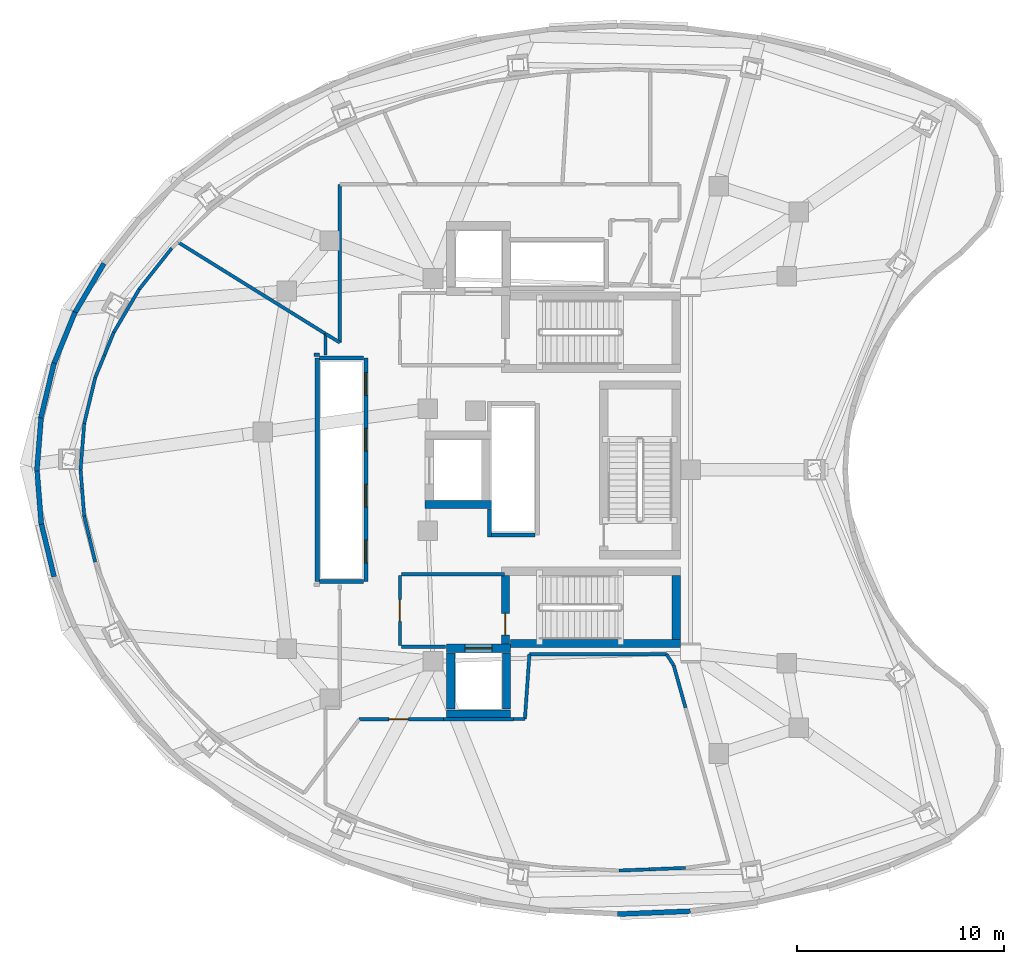
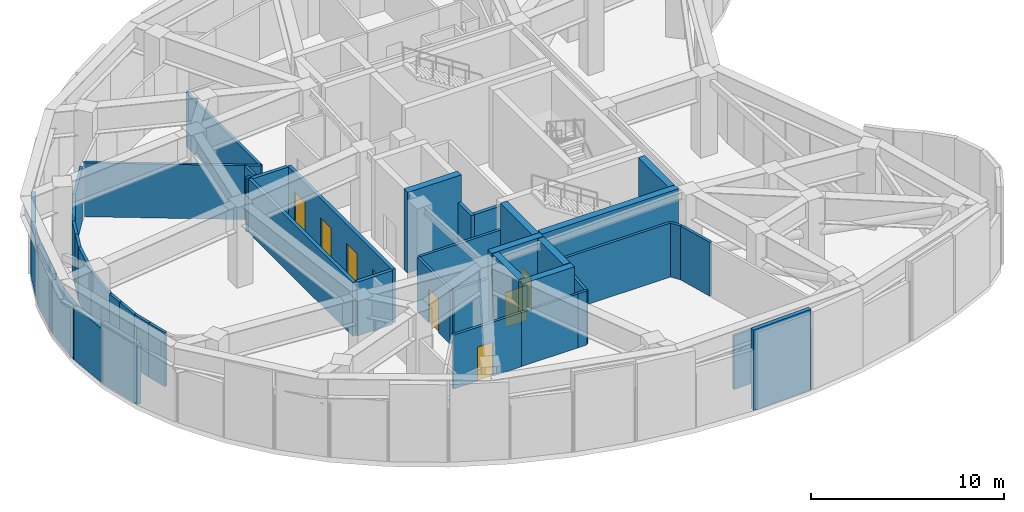
# One storey, part 4 of 10: 48 walls, 8 doors, 8 openings.
"""IFC4 building model written with IfcOpenShell, lengths in metres."""

from ifc_helpers import new_model, si_unit, direction, frame, frame_2d, origin, place, context, subcontext, project, spatial, rectangle, extrude, material, layer, layer_set, type_object, element, fill, save


model = new_model("IFC4")

# Units and contexts
model_context = context("Model", 3, precision=1e-05, world=origin(), true_north=direction((0.0, 1.0)))
body_context = subcontext(model_context, "Body", "Model", "MODEL_VIEW")
ifc_project = project(units=[si_unit("LENGTHUNIT", "METRE"), si_unit("AREAUNIT", "SQUARE_METRE"), si_unit("VOLUMEUNIT", "CUBIC_METRE"), si_unit("PLANEANGLEUNIT", "RADIAN"), si_unit("MASSUNIT", "GRAM", prefix="KILO")], contexts=[model_context])

# Site, building, storey
site_placement = place(None, origin())
site = spatial("IfcSite", under=ifc_project, at=site_placement, CompositionType="ELEMENT")
building_placement = place(site_placement, origin())
building = spatial("IfcBuilding", under=site, at=building_placement, Name="Korentha Bioscience Tower", CompositionType="ELEMENT")
storey_placement = place(building_placement, frame((0.0, 0.0, 213.0)))
storey = spatial("IfcBuildingStorey", under=building, at=storey_placement, Name="L49", CompositionType="ELEMENT", Elevation=213.0)

# Wall, opening, door
ifc_material_1 = material(Name="Gypsum-Clad Steel Stud", Category="steel")
ifc_layer_1 = layer(ifc_material_1, 0.159912109375, Name="Gypsum-Clad Steel Stud")
ifc_layer_set_1 = layer_set([ifc_layer_1], Name="Gypsum-Clad Steel Stud (IW-C160)")
wall_type_1 = type_object("IfcWallType", Name="Fire-Rated Corridor Partition Wall 160", PredefinedType="PARTITIONING", material=ifc_layer_set_1)
wall_1_placement = place(storey_placement, frame((23.5, 18.5, 0.0), z_axis=(0.0, 0.0, 1.0), x_axis=(0.0, 1.0, 0.0)))
wall_1 = element("IfcWall", 1, at=wall_1_placement, inside=storey, type_object=wall_type_1, Name="L49 FFLS-CW Rated Enclosure Wall", PredefinedType="PARTITIONING", context=body_context, shape_type="SweptSolid", body=[
    extrude(rectangle(XDim=3.39990234375, YDim=0.159912109375, at=frame_2d((1.699951171875, 0.0))), origin(), (0.0, 0.0, 1.0), 3.409912109375),
])
opening_1_placement = place(wall_1_placement, frame((1.175048828125, 0.0, 0.0)))
opening_1 = element("IfcOpeningElement", 2, at=opening_1_placement, cuts=wall_1, Name="Opening FD-90R", PredefinedType="OPENING", context=body_context, shape_type="SweptSolid", body=[
    extrude(rectangle(XDim=1.050048828125, YDim=2.14990234375, at=frame_2d((0.52490234375, 1.074951171875))), frame((0.0, 0.0947265625, 0.0), z_axis=(0.0, -1.0, 0.0), x_axis=(1.0, 0.0, 0.0)), (0.0, 0.0, 1.0), 0.189697265625),
])
ifc_material_2 = material(Name="Powder-Coated Fire-Rated Steel", Category="steel")
door_type_1 = type_object("IfcDoorType", Name="Stairwell Fire Exit Door 1050x2150 Right", OperationType="SINGLE_SWING_RIGHT", PredefinedType="DOOR", material=ifc_material_2)
door_1_placement = place(opening_1_placement, origin())
door_1 = element("IfcDoor", 3, at=door_1_placement, inside=storey, type_object=door_type_1, Name="L49 South Firefighting Lobby Door", OperationType="SINGLE_SWING_RIGHT", OverallHeight=2.14990234375, OverallWidth=1.050048828125, PredefinedType="DOOR", context=body_context, shape_type="SweptSolid", body=[
    extrude(rectangle(XDim=1.050048828125, YDim=2.14990234375, at=frame_2d((0.52490234375, 1.074951171875))), frame((0.0, 0.02490234375, 0.0), z_axis=(0.0, -1.0, 0.0), x_axis=(1.0, 0.0, 0.0)), (0.0, 0.0, 1.0), 0.050048828125),
])
fill(opening_1, door_1)

# Walls
wall_2_placement = place(storey_placement, frame((23.580078125, 21.949951171875, 0.0), z_axis=(0.0, 0.0, 1.0), x_axis=(1.0, 0.0, 0.0)))
element("IfcWall", 4, at=wall_2_placement, inside=storey, type_object=wall_type_1, Name="L49 Firefighting Lobby Return Wall FFLS-N", PredefinedType="PARTITIONING", context=body_context, shape_type="SweptSolid", body=[
    extrude(rectangle(XDim=4.969970703125, YDim=0.159912109375, at=frame_2d((2.48486328125, 0.0))), origin(), (0.0, 0.0, 1.0), 3.409912109375),
])
wall_3_placement = place(storey_placement, frame((23.580078125, 18.449951171875, 0.0), z_axis=(0.0, 0.0, 1.0), x_axis=(1.0, 0.0, 0.0)))
element("IfcWall", 5, at=wall_3_placement, inside=storey, type_object=wall_type_1, Name="L49 Firefighting Lobby Return Wall FFLS-S", PredefinedType="PARTITIONING", context=body_context, shape_type="SweptSolid", body=[
    extrude(rectangle(XDim=2.119873046875, YDim=0.159912109375, at=frame_2d((1.06005859375, 0.0))), origin(), (0.0, 0.0, 1.0), 3.409912109375),
])

# Wall, opening, door
wall_4_placement = place(storey_placement, frame((21.5283203125, 14.93994140625, 0.0), z_axis=(0.0, 0.0, 1.0), x_axis=(1.0, 0.0, 0.0)))
wall_4 = element("IfcWall", 6, at=wall_4_placement, inside=storey, type_object=wall_type_1, Name="L49 Chilled-Water Plate Heat-Exchanger Plant 02 Entrance Wall", PredefinedType="PARTITIONING", context=body_context, shape_type="SweptSolid", body=[
    extrude(rectangle(XDim=4.07177734375, YDim=0.159912109375, at=frame_2d((2.035888671875, 0.0))), origin(), (0.0, 0.0, 1.0), 3.409912109375),
])
opening_2_placement = place(wall_4_placement, frame((1.43017578125, 0.0, 0.0)))
opening_2 = element("IfcOpeningElement", 7, at=opening_2_placement, cuts=wall_4, Name="Opening FD-120D", PredefinedType="OPENING", context=body_context, shape_type="SweptSolid", body=[
    extrude(rectangle(XDim=0.949951171875, YDim=2.14990234375, at=frame_2d((0.47509765625, 1.074951171875))), frame((0.0, 0.0947265625, 0.0), z_axis=(0.0, -1.0, 0.0), x_axis=(1.0, 0.0, 0.0)), (0.0, 0.0, 1.0), 0.189697265625),
])
ifc_material_3 = material(Name="Heavy-Duty Insulated Steel", Category="steel")
door_type_2 = type_object("IfcDoorType", Name="Plant & Riser Fire Door 950x2150 Left", OperationType="SINGLE_SWING_LEFT", PredefinedType="DOOR", material=ifc_material_3)
door_2_placement = place(opening_2_placement, origin())
door_2 = element("IfcDoor", 8, at=door_2_placement, inside=storey, type_object=door_type_2, Name="L49 Chilled-Water Plate Heat-Exchanger Plant 02 Door", OperationType="SINGLE_SWING_LEFT", OverallHeight=2.14990234375, OverallWidth=0.949951171875, PredefinedType="DOOR", context=body_context, shape_type="SweptSolid", body=[
    extrude(rectangle(XDim=0.949951171875, YDim=2.14990234375, at=frame_2d((0.47509765625, 1.074951171875))), frame((0.0, 0.02490234375, 0.0), z_axis=(0.0, -1.0, 0.0), x_axis=(1.0, 0.0, 0.0)), (0.0, 0.0, 1.0), 0.050048828125),
])
fill(opening_2, door_2)

# Walls
wall_5_placement = place(storey_placement, frame((8.131103515625, 26.102294921875, 0.0), z_axis=(0.0, 0.0, 1.0), x_axis=(-0.078915252061, 0.99688132844, 0.0)))
element("IfcWall", 9, at=wall_5_placement, inside=storey, type_object=wall_type_1, Name="L49 Interior Partition 007", PredefinedType="PARTITIONING", context=body_context, shape_type="SweptSolid", body=[
    extrude(rectangle(XDim=0.900390625, YDim=0.159912109375, at=frame_2d((0.4501953125, 0.0))), origin(), (0.0, 0.0, 1.0), 3.409912109375),
])
wall_6_placement = place(storey_placement, frame((8.06005859375, 27.000244140625, 0.0), z_axis=(0.0, 0.0, 1.0), x_axis=(0.079080318655, 0.996868247664, 0.0)))
element("IfcWall", 10, at=wall_6_placement, inside=storey, type_object=wall_type_1, Name="L49 Interior Partition 008", PredefinedType="PARTITIONING", context=body_context, shape_type="SweptSolid", body=[
    extrude(rectangle(XDim=2.24755859375, YDim=0.159912109375, at=frame_2d((1.123779296875, 0.0))), origin(), (0.0, 0.0, 1.0), 3.409912109375),
])
wall_7_placement = place(storey_placement, frame((8.23779296875, 29.240966796875, 0.0), z_axis=(0.0, 0.0, 1.0), x_axis=(0.233688599082, 0.972311492609, 0.0)))
element("IfcWall", 11, at=wall_7_placement, inside=storey, type_object=wall_type_1, Name="L49 Interior Partition 009", PredefinedType="PARTITIONING", context=body_context, shape_type="SweptSolid", body=[
    extrude(rectangle(XDim=2.28173828125, YDim=0.159912109375, at=frame_2d((1.140869140625, 0.0))), origin(), (0.0, 0.0, 1.0), 3.409912109375),
])
wall_8_placement = place(storey_placement, frame((8.77099609375, 31.459716796875, 0.0), z_axis=(0.0, 0.0, 1.0), x_axis=(0.37822035048, 0.925715596975, 0.0)))
element("IfcWall", 12, at=wall_8_placement, inside=storey, type_object=wall_type_1, Name="L49 Interior Partition 010", PredefinedType="PARTITIONING", context=body_context, shape_type="SweptSolid", body=[
    extrude(rectangle(XDim=1.175537109375, YDim=0.159912109375, at=frame_2d((0.587890625, 0.0))), origin(), (0.0, 0.0, 1.0), 3.409912109375),
])
wall_9_placement = place(storey_placement, frame((9.21728515625, 32.55224609375, 0.0), z_axis=(0.0, 0.0, 1.0), x_axis=(0.378200873388, 0.925723554507, 0.0)))
element("IfcWall", 13, at=wall_9_placement, inside=storey, type_object=wall_type_1, Name="L49 Interior Partition 011", PredefinedType="PARTITIONING", context=body_context, shape_type="SweptSolid", body=[
    extrude(rectangle(XDim=1.16650390625, YDim=0.159912109375, at=frame_2d((0.583251953125, 0.0))), origin(), (0.0, 0.0, 1.0), 3.409912109375),
])
wall_10_placement = place(storey_placement, frame((9.65869140625, 33.632568359375, 0.0), z_axis=(0.0, 0.0, 1.0), x_axis=(0.508084174512, 0.861307419921, 0.0)))
element("IfcWall", 14, at=wall_10_placement, inside=storey, type_object=wall_type_1, Name="L49 Interior Partition 012", PredefinedType="PARTITIONING", context=body_context, shape_type="SweptSolid", body=[
    extrude(rectangle(XDim=2.435791015625, YDim=0.159912109375, at=frame_2d((1.2177734375, 0.0))), origin(), (0.0, 0.0, 1.0), 3.409912109375),
])
wall_11_placement = place(storey_placement, frame((10.896484375, 35.730712890625, 0.0), z_axis=(0.0, 0.0, 1.0), x_axis=(0.620845620269, 0.783932851584, 0.0)))
element("IfcWall", 15, at=wall_11_placement, inside=storey, type_object=wall_type_1, Name="L49 Interior Partition 013", PredefinedType="PARTITIONING", context=body_context, shape_type="SweptSolid", body=[
    extrude(rectangle(XDim=2.5419921875, YDim=0.159912109375, at=frame_2d((1.27099609375, 0.0))), origin(), (0.0, 0.0, 1.0), 3.409912109375),
])
wall_12_placement = place(storey_placement, frame((12.765380859375, 38.0068359375, 0.0), z_axis=(0.0, 0.0, 1.0), x_axis=(0.849598824843, -0.527429461469, 0.0)))
element("IfcWall", 16, at=wall_12_placement, inside=storey, type_object=wall_type_1, Name="L49 Interior Partition 015", PredefinedType="PARTITIONING", context=body_context, shape_type="SweptSolid", body=[
    extrude(rectangle(XDim=8.39501953125, YDim=0.159912109375, at=frame_2d((4.197509765625, 0.0))), origin(), (0.0, 0.0, 1.0), 3.409912109375),
])
wall_13_placement = place(storey_placement, frame((19.89794921875, 33.578857421875, 0.0), z_axis=(0.0, 0.0, 1.0), x_axis=(0.0, -1.0, 0.0)))
element("IfcWall", 17, at=wall_13_placement, inside=storey, type_object=wall_type_1, Name="L49 Interior Partition 016", PredefinedType="PARTITIONING", context=body_context, shape_type="SweptSolid", body=[
    extrude(rectangle(XDim=1.018798828125, YDim=0.159912109375, at=frame_2d((0.50927734375, 0.0))), origin(), (0.0, 0.0, 1.0), 3.409912109375),
])
wall_14_placement = place(storey_placement, frame((19.6201171875, 32.56005859375, 0.0), z_axis=(0.0, 0.0, 1.0), x_axis=(-1.0, 0.0, 0.0)))
element("IfcWall", 18, at=wall_14_placement, inside=storey, type_object=wall_type_1, Name="L49 Interior Partition 017", PredefinedType="PARTITIONING", context=body_context, shape_type="SweptSolid", body=[
    extrude(rectangle(XDim=0.27001953125, YDim=0.159912109375, at=frame_2d((0.135009765625, 0.0))), origin(), (0.0, 0.0, 1.0), 3.409912109375),
])
wall_15_placement = place(storey_placement, frame((8.77099609375, 22.540283203125, 0.0), z_axis=(0.0, 0.0, 1.0), x_axis=(-0.233646247819, 0.972321670477, 0.0)))
element("IfcWall", 19, at=wall_15_placement, inside=storey, type_object=wall_type_1, Name="L49 Interior Partition 030", PredefinedType="PARTITIONING", context=body_context, shape_type="SweptSolid", body=[
    extrude(rectangle(XDim=1.21630859375, YDim=0.159912109375, at=frame_2d((0.608154296875, 0.0))), origin(), (0.0, 0.0, 1.0), 3.409912109375),
])
wall_16_placement = place(storey_placement, frame((8.485595703125, 23.727294921875, 0.0), z_axis=(0.0, 0.0, 1.0), x_axis=(-0.23353829149, 0.97234760575, 0.0)))
element("IfcWall", 20, at=wall_16_placement, inside=storey, type_object=wall_type_1, Name="L49 Interior Partition 031", PredefinedType="PARTITIONING", context=body_context, shape_type="SweptSolid", body=[
    extrude(rectangle(XDim=1.06103515625, YDim=0.159912109375, at=frame_2d((0.530517578125, 0.0))), origin(), (0.0, 0.0, 1.0), 3.409912109375),
])
wall_17_placement = place(storey_placement, frame((8.23779296875, 24.75927734375, 0.0), z_axis=(0.0, 0.0, 1.0), x_axis=(-0.079087622774, 0.996867668211, 0.0)))
element("IfcWall", 21, at=wall_17_placement, inside=storey, type_object=wall_type_1, Name="L49 Interior Partition 032", PredefinedType="PARTITIONING", context=body_context, shape_type="SweptSolid", body=[
    extrude(rectangle(XDim=1.3427734375, YDim=0.159912109375, at=frame_2d((0.67138671875, 0.0))), origin(), (0.0, 0.0, 1.0), 3.409912109375),
])
wall_18_placement = place(storey_placement, frame((25.610107421875, 14.949951171875, 0.0), z_axis=(0.0, 0.0, 1.0), x_axis=(1.0, 0.0, 0.0)))
element("IfcWall", 22, at=wall_18_placement, inside=storey, type_object=wall_type_1, Name="L49 Interior Partition 033", PredefinedType="PARTITIONING", context=body_context, shape_type="SweptSolid", body=[
    extrude(rectangle(XDim=3.385986328125, YDim=0.159912109375, at=frame_2d((1.69287109375, 0.0))), origin(), (0.0, 0.0, 1.0), 3.409912109375),
])
wall_19_placement = place(storey_placement, frame((29.0, 14.9541015625, 0.0), z_axis=(0.0, 0.0, 1.0), x_axis=(1.0, 0.0, 0.0)))
element("IfcWall", 23, at=wall_19_placement, inside=storey, type_object=wall_type_1, Name="L49 Interior Partition 035", PredefinedType="PARTITIONING", context=body_context, shape_type="SweptSolid", body=[
    extrude(rectangle(XDim=0.539794921875, YDim=0.159912109375, at=frame_2d((0.27001953125, 0.0))), origin(), (0.0, 0.0, 1.0), 3.409912109375),
])
wall_20_placement = place(storey_placement, frame((29.539794921875, 14.9541015625, 0.0), z_axis=(0.0, 0.0, 1.0), x_axis=(0.069972098323, 0.997548948902, 0.0)))
element("IfcWall", 24, at=wall_20_placement, inside=storey, type_object=wall_type_1, Name="L49 Interior Partition 036", PredefinedType="PARTITIONING", context=body_context, shape_type="SweptSolid", body=[
    extrude(rectangle(XDim=3.143798828125, YDim=0.159912109375, at=frame_2d((1.57177734375, 0.0))), origin(), (0.0, 0.0, 1.0), 3.409912109375),
])
wall_21_placement = place(storey_placement, frame((29.759765625, 18.090087890625, 0.0), z_axis=(0.0, 0.0, 1.0), x_axis=(1.0, 0.0, 0.0)))
element("IfcWall", 25, at=wall_21_placement, inside=storey, type_object=wall_type_1, Name="L49 Interior Partition 037", PredefinedType="PARTITIONING", context=body_context, shape_type="SweptSolid", body=[
    extrude(rectangle(XDim=6.61962890625, YDim=0.159912109375, at=frame_2d((3.309814453125, 0.0))), origin(), (0.0, 0.0, 1.0), 3.409912109375),
])
wall_22_placement = place(storey_placement, frame((36.37939453125, 18.090087890625, 0.0), z_axis=(0.0, 0.0, 1.0), x_axis=(0.550863719947, -0.834595208497, 0.0)))
element("IfcWall", 26, at=wall_22_placement, inside=storey, type_object=wall_type_1, Name="L49 Interior Partition 038", PredefinedType="PARTITIONING", context=body_context, shape_type="SweptSolid", body=[
    extrude(rectangle(XDim=0.63232421875, YDim=0.159912109375, at=frame_2d((0.316162109375, 0.0))), origin(), (0.0, 0.0, 1.0), 3.409912109375),
])
wall_23_placement = place(storey_placement, frame((36.72802734375, 17.56201171875, 0.0), z_axis=(0.0, 0.0, 1.0), x_axis=(0.269485976636, -0.963004313799, 0.0)))
element("IfcWall", 27, at=wall_23_placement, inside=storey, type_object=wall_type_1, Name="L49 Interior Partition 039", PredefinedType="PARTITIONING", context=body_context, shape_type="SweptSolid", body=[
    extrude(rectangle(XDim=2.138916015625, YDim=0.159912109375, at=frame_2d((1.0693359375, 0.0))), origin(), (0.0, 0.0, 1.0), 3.409912109375),
])
wall_24_placement = place(storey_placement, frame((37.29833984375, 7.756591796875, 0.0), z_axis=(0.0, 0.0, 1.0), x_axis=(-0.999211721254, -0.039698061763, 0.0)))
element("IfcWall", 28, at=wall_24_placement, inside=storey, type_object=wall_type_1, Name="L49 Interior Partition 042", PredefinedType="PARTITIONING", context=body_context, shape_type="SweptSolid", body=[
    extrude(rectangle(XDim=1.697265625, YDim=0.159912109375, at=frame_2d((0.8486328125, 0.0))), origin(), (0.0, 0.0, 1.0), 3.409912109375),
])
wall_25_placement = place(storey_placement, frame((35.597900390625, 7.68896484375, 0.0), z_axis=(0.0, 0.0, 1.0), x_axis=(-0.999211494533, -0.039703767995, 0.0)))
element("IfcWall", 29, at=wall_25_placement, inside=storey, type_object=wall_type_1, Name="L49 Interior Partition 043", PredefinedType="PARTITIONING", context=body_context, shape_type="SweptSolid", body=[
    extrude(rectangle(XDim=1.5126953125, YDim=0.159912109375, at=frame_2d((0.75634765625, 0.0))), origin(), (0.0, 0.0, 1.0), 3.409912109375),
])
wall_26_placement = place(storey_placement, frame((20.590087890625, 40.800048828125, 0.0), z_axis=(0.0, 0.0, 1.0), x_axis=(0.0, -1.0, 0.0)))
element("IfcWall", 30, at=wall_26_placement, inside=storey, type_object=wall_type_1, Name="L49 Interior Partition 079", PredefinedType="PARTITIONING", context=body_context, shape_type="SweptSolid", body=[
    extrude(rectangle(XDim=7.645751953125, YDim=0.159912109375, at=frame_2d((3.82275390625, 0.0))), origin(), (0.0, 0.0, 1.0), 3.409912109375),
])
wall_27_placement = place(storey_placement, frame((20.590087890625, 33.154296875, 0.0), z_axis=(0.0, 0.0, 1.0), x_axis=(-0.849804602679, 0.52709784411, 0.0)))
element("IfcWall", 31, at=wall_27_placement, inside=storey, type_object=wall_type_1, Name="L49 Interior Partition 080", PredefinedType="PARTITIONING", context=body_context, shape_type="SweptSolid", body=[
    extrude(rectangle(XDim=0.802734375, YDim=0.159912109375, at=frame_2d((0.4013671875, 0.0))), origin(), (0.0, 0.0, 1.0), 3.409912109375),
])
ifc_material_4 = material(Name="Autoclaved Aerated Concrete Block C25", Category="concrete")
ifc_layer_2 = layer(ifc_material_4, 0.199951171875, Name="Autoclaved Aerated Concrete Block C25")
ifc_layer_set_2 = layer_set([ifc_layer_2], Name="Autoclaved Aerated Concrete Block C25 (IW-S200)")
wall_type_2 = type_object("IfcWallType", Name="Lift and Riser Shaft Enclosure Wall 200", PredefinedType="PARTITIONING", material=ifc_layer_set_2)
wall_28_placement = place(storey_placement, frame((19.5, 21.60009765625, 0.0), z_axis=(0.0, 0.0, 1.0), x_axis=(0.0, 1.0, 0.0)))
element("IfcWall", 32, at=wall_28_placement, inside=storey, type_object=wall_type_2, Name="L49 Lift Bank MID Shaft Wall -X", PredefinedType="PARTITIONING", context=body_context, shape_type="SweptSolid", body=[
    extrude(rectangle(XDim=10.7998046875, YDim=0.199951171875, at=frame_2d((5.39990234375, 0.0))), origin(), (0.0, 0.0, 1.0), 3.409912109375),
])

# Wall, openings, doors
wall_29_placement = place(storey_placement, frame((21.85009765625, 21.60009765625, 0.0), z_axis=(0.0, 0.0, 1.0), x_axis=(0.0, 1.0, 0.0)))
wall_29 = element("IfcWall", 33, at=wall_29_placement, inside=storey, type_object=wall_type_2, Name="L49 Lift Bank MID Shaft Wall +X", PredefinedType="PARTITIONING", context=body_context, shape_type="SweptSolid", body=[
    extrude(rectangle(XDim=10.7998046875, YDim=0.199951171875, at=frame_2d((5.39990234375, 0.0))), origin(), (0.0, 0.0, 1.0), 3.409912109375),
])
opening_3_placement = place(wall_29_placement, frame((0.89990234375, 0.0, 0.0)))
opening_3 = element("IfcOpeningElement", 34, at=opening_3_placement, cuts=wall_29, Name="Opening LD-11", PredefinedType="OPENING", context=body_context, shape_type="SweptSolid", body=[
    extrude(rectangle(XDim=1.10009765625, YDim=2.199951171875, at=frame_2d((0.550048828125, 1.10009765625))), frame((0.0, 0.11474609375, 0.0), z_axis=(0.0, -1.0, 0.0), x_axis=(1.0, 0.0, 0.0)), (0.0, 0.0, 1.0), 0.229736328125),
])
opening_4_placement = place(wall_29_placement, frame((3.60009765625, 0.0, 0.0)))
opening_4 = element("IfcOpeningElement", 35, at=opening_4_placement, cuts=wall_29, Name="Opening LD-11", PredefinedType="OPENING", context=body_context, shape_type="SweptSolid", body=[
    extrude(rectangle(XDim=1.10009765625, YDim=2.199951171875, at=frame_2d((0.550048828125, 1.10009765625))), frame((0.0, 0.11474609375, 0.0), z_axis=(0.0, -1.0, 0.0), x_axis=(1.0, 0.0, 0.0)), (0.0, 0.0, 1.0), 0.229736328125),
])
opening_5_placement = place(wall_29_placement, frame((6.300048828125, 0.0, 0.0)))
opening_5 = element("IfcOpeningElement", 36, at=opening_5_placement, cuts=wall_29, Name="Opening LD-11", PredefinedType="OPENING", context=body_context, shape_type="SweptSolid", body=[
    extrude(rectangle(XDim=1.10009765625, YDim=2.199951171875, at=frame_2d((0.550048828125, 1.10009765625))), frame((0.0, 0.11474609375, 0.0), z_axis=(0.0, -1.0, 0.0), x_axis=(1.0, 0.0, 0.0)), (0.0, 0.0, 1.0), 0.229736328125),
])
opening_6_placement = place(wall_29_placement, frame((9.0, 0.0, 0.0)))
opening_6 = element("IfcOpeningElement", 37, at=opening_6_placement, cuts=wall_29, Name="Opening LD-11", PredefinedType="OPENING", context=body_context, shape_type="SweptSolid", body=[
    extrude(rectangle(XDim=1.10009765625, YDim=2.199951171875, at=frame_2d((0.550048828125, 1.10009765625))), frame((0.0, 0.11474609375, 0.0), z_axis=(0.0, -1.0, 0.0), x_axis=(1.0, 0.0, 0.0)), (0.0, 0.0, 1.0), 0.229736328125),
])
ifc_material_5 = material(Name="Brushed Stainless Steel 304", Category="steel")
door_type_3 = type_object("IfcDoorType", Name="Passenger Lift Sliding Landing Door 1100x2200", OperationType="DOUBLE_DOOR_SLIDING", PredefinedType="DOOR", material=ifc_material_5)
door_3_placement = place(opening_3_placement, origin())
door_3 = element("IfcDoor", 38, at=door_3_placement, inside=storey, type_object=door_type_3, Name="L49 PL-M1 Sliding Lift Landing Door", OperationType="DOUBLE_DOOR_SLIDING", OverallHeight=2.199951171875, OverallWidth=1.10009765625, PredefinedType="DOOR", context=body_context, shape_type="SweptSolid", body=[
    extrude(rectangle(XDim=1.10009765625, YDim=2.199951171875, at=frame_2d((0.550048828125, 1.10009765625))), frame((0.0, 0.02490234375, 0.0), z_axis=(0.0, -1.0, 0.0), x_axis=(1.0, 0.0, 0.0)), (0.0, 0.0, 1.0), 0.050048828125),
])
fill(opening_3, door_3)
door_4_placement = place(opening_4_placement, origin())
door_4 = element("IfcDoor", 39, at=door_4_placement, inside=storey, type_object=door_type_3, Name="L49 PL-M2 Sliding Lift Landing Door", OperationType="DOUBLE_DOOR_SLIDING", OverallHeight=2.199951171875, OverallWidth=1.10009765625, PredefinedType="DOOR", context=body_context, shape_type="SweptSolid", body=[
    extrude(rectangle(XDim=1.10009765625, YDim=2.199951171875, at=frame_2d((0.550048828125, 1.10009765625))), frame((0.0, 0.02490234375, 0.0), z_axis=(0.0, -1.0, 0.0), x_axis=(1.0, 0.0, 0.0)), (0.0, 0.0, 1.0), 0.050048828125),
])
fill(opening_4, door_4)
door_5_placement = place(opening_5_placement, origin())
door_5 = element("IfcDoor", 40, at=door_5_placement, inside=storey, type_object=door_type_3, Name="L49 PL-M3 Sliding Lift Landing Door", OperationType="DOUBLE_DOOR_SLIDING", OverallHeight=2.199951171875, OverallWidth=1.10009765625, PredefinedType="DOOR", context=body_context, shape_type="SweptSolid", body=[
    extrude(rectangle(XDim=1.10009765625, YDim=2.199951171875, at=frame_2d((0.550048828125, 1.10009765625))), frame((0.0, 0.02490234375, 0.0), z_axis=(0.0, -1.0, 0.0), x_axis=(1.0, 0.0, 0.0)), (0.0, 0.0, 1.0), 0.050048828125),
])
fill(opening_5, door_5)
door_6_placement = place(opening_6_placement, origin())
door_6 = element("IfcDoor", 41, at=door_6_placement, inside=storey, type_object=door_type_3, Name="L49 PL-M4 Sliding Lift Landing Door", OperationType="DOUBLE_DOOR_SLIDING", OverallHeight=2.199951171875, OverallWidth=1.10009765625, PredefinedType="DOOR", context=body_context, shape_type="SweptSolid", body=[
    extrude(rectangle(XDim=1.10009765625, YDim=2.199951171875, at=frame_2d((0.550048828125, 1.10009765625))), frame((0.0, 0.02490234375, 0.0), z_axis=(0.0, -1.0, 0.0), x_axis=(1.0, 0.0, 0.0)), (0.0, 0.0, 1.0), 0.050048828125),
])
fill(opening_6, door_6)

# Walls
for number, where, z_axis, x_axis, name in (
    (42, (19.6201171875, 21.60009765625, 0.0), (0.0, 0.0, 1.0), (1.0, 0.0, 0.0), "L49 Lift Bank MID Shaft Wall -Y"),
    (43, (19.6201171875, 32.39990234375, 0.0), (0.0, 0.0, 1.0), (1.0, 0.0, 0.0), "L49 Lift Bank MID Shaft Wall +Y"),
):
    element("IfcWall", number, at=place(storey_placement, frame(where, z_axis=z_axis, x_axis=x_axis)), inside=storey, type_object=wall_type_2, Name=name, PredefinedType="PARTITIONING", context=body_context, shape_type="SweptSolid", body=[
        extrude(rectangle(XDim=2.10986328125, YDim=0.199951171875, at=frame_2d((1.054931640625, 0.0))), origin(), (0.0, 0.0, 1.0), 3.409912109375),
    ])
wall_30_placement = place(storey_placement, frame((27.830078125, 23.75, 0.0), z_axis=(0.0, 0.0, 1.0), x_axis=(0.0, 1.0, 0.0)))
element("IfcWall", 44, at=wall_30_placement, inside=storey, type_object=wall_type_2, Name="L49 Lift Bank HIGH Shaft Wall -XS", PredefinedType="PARTITIONING", context=body_context, shape_type="SweptSolid", body=[
    extrude(rectangle(XDim=1.365966796875, YDim=0.199951171875, at=frame_2d((0.68310546875, 0.0))), origin(), (0.0, 0.0, 1.0), 3.409912109375),
])
wall_31_placement = place(storey_placement, frame((27.93408203125, 23.85009765625, 0.0), z_axis=(0.0, 0.0, 1.0), x_axis=(1.0, 0.0, 0.0)))
element("IfcWall", 45, at=wall_31_placement, inside=storey, type_object=wall_type_2, Name="L49 Lift Bank HIGH Shaft Wall -Y", PredefinedType="PARTITIONING", context=body_context, shape_type="SweptSolid", body=[
    extrude(rectangle(XDim=2.095947265625, YDim=0.199951171875, at=frame_2d((1.0478515625, 0.0))), origin(), (0.0, 0.0, 1.0), 3.409912109375),
])
ifc_material_6 = material(Name="Concrete C65", Category="concrete")
ifc_layer_3 = layer(ifc_material_6, 0.39990234375, Name="Concrete C65")
ifc_layer_set_3 = layer_set([ifc_layer_3], Name="Concrete C65 (CW-C65)")
wall_type_3 = type_object("IfcWallType", Name="Mid-Rise Core Shear Wall 400", PredefinedType="SHEAR", material=ifc_layer_set_3)
wall_32_placement = place(storey_placement, frame((28.85205078125, 18.60009765625, 0.0), z_axis=(0.0, 0.0, 1.0), x_axis=(1.0, 0.0, 0.0)))
element("IfcWall", 46, at=wall_32_placement, inside=storey, type_object=wall_type_3, Name="L49 Core Shear Wall ST2-S", PredefinedType="SHEAR", context=body_context, shape_type="SweptSolid", body=[
    extrude(rectangle(XDim=8.197998046875, YDim=0.39990234375, at=frame_2d((4.09912109375, 0.0))), origin(), (0.0, 0.0, 1.0), 5.10009765625),
])
wall_33_placement = place(storey_placement, frame((36.85009765625, 18.81005859375, 0.0), z_axis=(0.0, 0.0, 1.0), x_axis=(0.0, 1.0, 0.0)))
element("IfcWall", 47, at=wall_33_placement, inside=storey, type_object=wall_type_3, Name="L49 Core Shear Wall ST2-E", PredefinedType="SHEAR", context=body_context, shape_type="SweptSolid", body=[
    extrude(rectangle(XDim=3.079833984375, YDim=0.39990234375, at=frame_2d((1.5400390625, 0.0))), origin(), (0.0, 0.0, 1.0), 5.10009765625),
])

# Wall, opening, door
wall_34_placement = place(storey_placement, frame((28.60009765625, 18.58203125, 0.0), z_axis=(0.0, 0.0, 1.0), x_axis=(0.0, 1.0, 0.0)))
wall_34 = element("IfcWall", 48, at=wall_34_placement, inside=storey, type_object=wall_type_3, Name="L49 Core Shear Wall ST2-W", PredefinedType="SHEAR", context=body_context, shape_type="SweptSolid", body=[
    extrude(rectangle(XDim=3.307861328125, YDim=0.39990234375, at=frame_2d((1.65380859375, 0.0))), origin(), (0.0, 0.0, 1.0), 5.10009765625),
])
opening_7_placement = place(wall_34_placement, frame((0.427978515625, 0.0, 0.0)))
opening_7 = element("IfcOpeningElement", 49, at=opening_7_placement, cuts=wall_34, Name="Opening FD-90R", PredefinedType="OPENING", context=body_context, shape_type="SweptSolid", body=[
    extrude(rectangle(XDim=1.050048828125, YDim=2.14990234375, at=frame_2d((0.52490234375, 1.074951171875))), frame((0.0, 0.21484375, 0.0), z_axis=(0.0, -1.0, 0.0), x_axis=(1.0, 0.0, 0.0)), (0.0, 0.0, 1.0), 0.4296875),
])
door_7_placement = place(opening_7_placement, origin())
door_7 = element("IfcDoor", 50, at=door_7_placement, inside=storey, type_object=door_type_1, Name="L49 ST-2 Fire Exit Stair Door", OperationType="SINGLE_SWING_RIGHT", OverallHeight=2.14990234375, OverallWidth=1.050048828125, PredefinedType="DOOR", context=body_context, shape_type="SweptSolid", body=[
    extrude(rectangle(XDim=1.050048828125, YDim=2.14990234375, at=frame_2d((0.52490234375, 1.074951171875))), frame((0.0, 0.02490234375, 0.0), z_axis=(0.0, -1.0, 0.0), x_axis=(1.0, 0.0, 0.0)), (0.0, 0.0, 1.0), 0.050048828125),
])
fill(opening_7, door_7)

# Wall
wall_35_placement = place(storey_placement, frame((25.75, 15.199951171875, 0.0), z_axis=(0.0, 0.0, 1.0), x_axis=(1.0, 0.0, 0.0)))
element("IfcWall", 51, at=wall_35_placement, inside=storey, type_object=wall_type_3, Name="L49 Core Shear Wall FFL1-S", PredefinedType="SHEAR", context=body_context, shape_type="SweptSolid", body=[
    extrude(rectangle(XDim=3.10009765625, YDim=0.39990234375, at=frame_2d((1.550048828125, 0.0))), origin(), (0.0, 0.0, 1.0), 5.10009765625),
])

# Wall, opening, door
wall_36_placement = place(storey_placement, frame((25.75, 18.3798828125, 0.0), z_axis=(0.0, 0.0, 1.0), x_axis=(1.0, 0.0, 0.0)))
wall_36 = element("IfcWall", 52, at=wall_36_placement, inside=storey, type_object=wall_type_3, Name="L49 Core Shear Wall FFL1-N", PredefinedType="SHEAR", context=body_context, shape_type="SweptSolid", body=[
    extrude(rectangle(XDim=3.10009765625, YDim=0.39990234375, at=frame_2d((1.550048828125, 0.0))), origin(), (0.0, 0.0, 1.0), 5.10009765625),
])
opening_8_placement = place(wall_36_placement, frame((0.89990234375, 0.0, 0.0)))
opening_8 = element("IfcOpeningElement", 53, at=opening_8_placement, cuts=wall_36, Name="Opening LD-13", PredefinedType="OPENING", context=body_context, shape_type="SweptSolid", body=[
    extrude(rectangle(XDim=1.300048828125, YDim=2.199951171875, at=frame_2d((0.64990234375, 1.10009765625))), frame((0.0, 0.21484375, 0.0), z_axis=(0.0, -1.0, 0.0), x_axis=(1.0, 0.0, 0.0)), (0.0, 0.0, 1.0), 0.4296875),
])
ifc_material_7 = material(Name="Brushed Stainless Steel 316", Category="steel")
door_type_4 = type_object("IfcDoorType", Name="Service & Firefighting Lift Landing Door 1300x2300", OperationType="DOUBLE_DOOR_SLIDING", PredefinedType="DOOR", material=ifc_material_7)
door_8_placement = place(opening_8_placement, origin())
door_8 = element("IfcDoor", 54, at=door_8_placement, inside=storey, type_object=door_type_4, Name="L49 FFL-1 Sliding Lift Landing Door", OperationType="DOUBLE_DOOR_SLIDING", OverallHeight=2.199951171875, OverallWidth=1.300048828125, PredefinedType="DOOR", context=body_context, shape_type="SweptSolid", body=[
    extrude(rectangle(XDim=1.300048828125, YDim=2.199951171875, at=frame_2d((0.64990234375, 1.10009765625))), frame((0.0, 0.02490234375, 0.0), z_axis=(0.0, -1.0, 0.0), x_axis=(1.0, 0.0, 0.0)), (0.0, 0.0, 1.0), 0.050048828125),
])
fill(opening_8, door_8)

# Walls
for number, where, z_axis, x_axis, name in (
    (55, (25.949951171875, 15.43994140625, 0.0), (0.0, 0.0, 1.0), (0.0, 1.0, 0.0), "L49 Core Shear Wall FFL1-W"),
    (56, (28.64990234375, 15.43994140625, 0.0), (0.0, 0.0, 1.0), (0.0, 1.0, 0.0), "L49 Core Shear Wall FFL1-E"),
):
    element("IfcWall", number, at=place(storey_placement, frame(where, z_axis=z_axis, x_axis=x_axis)), inside=storey, type_object=wall_type_3, Name=name, PredefinedType="SHEAR", context=body_context, shape_type="SweptSolid", body=[
        extrude(rectangle(XDim=2.699951171875, YDim=0.39990234375, at=frame_2d((1.35009765625, 0.0))), origin(), (0.0, 0.0, 1.0), 5.10009765625),
    ])
wall_37_placement = place(storey_placement, frame((24.719970703125, 25.320068359375, 0.0), z_axis=(0.0, 0.0, 1.0), x_axis=(1.0, 0.0, 0.0)))
element("IfcWall", 57, at=wall_37_placement, inside=storey, type_object=wall_type_3, Name="L49 Core Shear Wall SVL1-S", PredefinedType="SHEAR", context=body_context, shape_type="SweptSolid", body=[
    extrude(rectangle(XDim=3.2099609375, YDim=0.39990234375, at=frame_2d((1.60498046875, 0.0))), origin(), (0.0, 0.0, 1.0), 5.10009765625),
])
ifc_material_8 = material(Name="Insulated Precast Concrete C40", Category="concrete")
ifc_layer_4 = layer(ifc_material_8, 0.239990234375, Name="Insulated Precast Concrete C40")
ifc_layer_set_4 = layer_set([ifc_layer_4], Name="Insulated Precast Concrete C40 (EW-PL240)")
wall_type_4 = type_object("IfcWallType", Name="Plant Acoustic Louvre Backup Wall 240", PredefinedType="STANDARD", material=ifc_layer_set_4)
wall_38_placement = place(storey_placement, frame((9.190185546875, 36.9716796875, 0.0), z_axis=(0.0, 0.0, 1.0), x_axis=(-0.508030654856, -0.861338988858, 0.0)))
element("IfcWall", 58, at=wall_38_placement, inside=storey, type_object=wall_type_4, Name="L49 Plant Louvre Backup Wall 15", PredefinedType="STANDARD", context=body_context, shape_type="SweptSolid", body=[
    extrude(rectangle(XDim=2.849853515625, YDim=0.239990234375, at=frame_2d((1.4248046875, 0.0))), origin(), (0.0, 0.0, 1.0), 3.425048828125),
])
wall_39_placement = place(storey_placement, frame((7.79443359375, 34.6220703125, 0.0), z_axis=(0.0, 0.0, 1.0), x_axis=(-0.378170709687, -0.9257358772, 0.0)))
element("IfcWall", 59, at=wall_39_placement, inside=storey, type_object=wall_type_4, Name="L49 Plant Louvre Backup Wall 16", PredefinedType="STANDARD", context=body_context, shape_type="SweptSolid", body=[
    extrude(rectangle(XDim=2.77734375, YDim=0.239990234375, at=frame_2d((1.388671875, 0.0))), origin(), (0.0, 0.0, 1.0), 3.425048828125),
])
wall_40_placement = place(storey_placement, frame((6.7802734375, 32.163330078125, 0.0), z_axis=(0.0, 0.0, 1.0), x_axis=(-0.233630442367, -0.972325468349, 0.0)))
element("IfcWall", 60, at=wall_40_placement, inside=storey, type_object=wall_type_4, Name="L49 Plant Louvre Backup Wall 17", PredefinedType="STANDARD", context=body_context, shape_type="SweptSolid", body=[
    extrude(rectangle(XDim=2.725341796875, YDim=0.239990234375, at=frame_2d((1.36279296875, 0.0))), origin(), (0.0, 0.0, 1.0), 3.824951171875),
])
for number, where, z_axis, x_axis, name in (
    (61, (6.162109375, 29.630615234375, 0.0), (0.0, 0.0, 1.0), (-0.079076340919, -0.996868563205, 0.0), "L49 Plant Louvre Backup Wall 18"),
    (62, (5.94873046875, 27.059326171875, 0.0), (0.0, 0.0, 1.0), (0.079076340919, -0.996868563205, 0.0), "L49 Plant Louvre Backup Wall 19"),
):
    element("IfcWall", number, at=place(storey_placement, frame(where, z_axis=z_axis, x_axis=x_axis)), inside=storey, type_object=wall_type_4, Name=name, PredefinedType="STANDARD", context=body_context, shape_type="SweptSolid", body=[
        extrude(rectangle(XDim=2.698486328125, YDim=0.239990234375, at=frame_2d((1.34912109375, 0.0))), origin(), (0.0, 0.0, 1.0), 3.425048828125),
    ])
wall_41_placement = place(storey_placement, frame((6.1435546875, 24.486572265625, 0.0), z_axis=(0.0, 0.0, 1.0), x_axis=(0.233630442367, -0.972325468349, 0.0)))
element("IfcWall", 63, at=wall_41_placement, inside=storey, type_object=wall_type_4, Name="L49 Plant Louvre Backup Wall 20", PredefinedType="STANDARD", context=body_context, shape_type="SweptSolid", body=[
    extrude(rectangle(XDim=2.725341796875, YDim=0.239990234375, at=frame_2d((1.36279296875, 0.0))), origin(), (0.0, 0.0, 1.0), 3.824951171875),
])
wall_42_placement = place(storey_placement, frame((34.0185546875, 5.5244140625, 0.0), z_axis=(0.0, 0.0, 1.0), x_axis=(0.999209031111, 0.039765715712, 0.0)))
element("IfcWall", 64, at=wall_42_placement, inside=storey, type_object=wall_type_4, Name="L49 Plant Louvre Backup Wall 32", PredefinedType="STANDARD", context=body_context, shape_type="SweptSolid", body=[
    extrude(rectangle(XDim=3.517822265625, YDim=0.239990234375, at=frame_2d((1.7587890625, 0.0))), origin(), (0.0, 0.0, 1.0), 5.10009765625),
])

save(model, "model.ifc")
